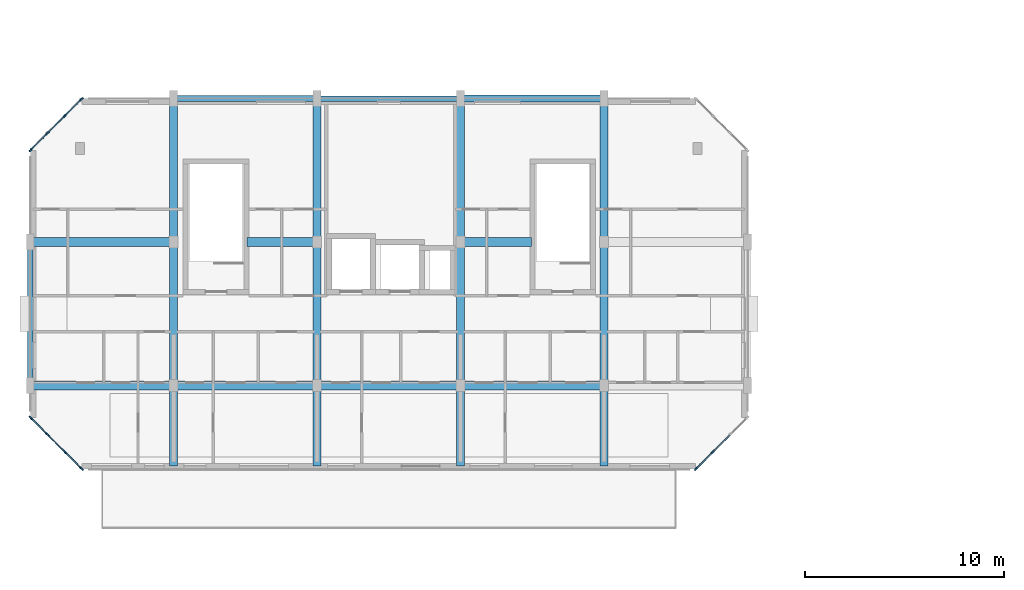
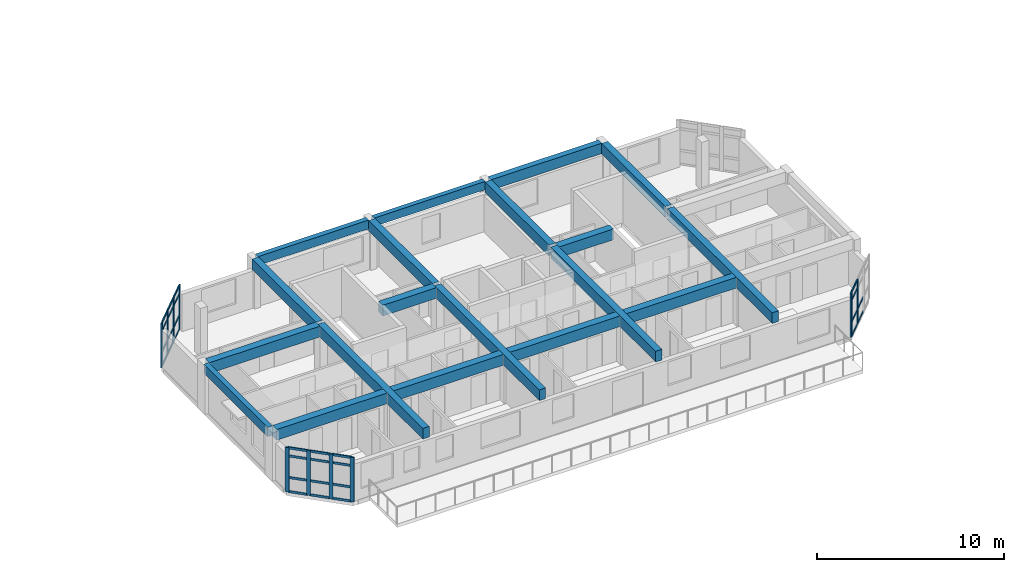
# One storey, part 3 of 40: 40 members, 19 beams, 3 elements without a shape of their own.
"""IFC4 building model written with IfcOpenShell, lengths in metres."""

from ifc_helpers import new_model, si_unit, direction, frame, origin, origin_2d, place, context, subcontext, project, spatial, rectangle, extrude, material, layer, layer_set, material_profile, profile_set, type_object, element, aggregate, save


model = new_model("IFC4")

# Units and contexts
model_context = context("Model", 3, precision=1e-05, world=origin(), true_north=direction((0.0, 1.0)))
body_context = subcontext(model_context, "Body", "Model", "MODEL_VIEW")
ifc_project = project(units=[si_unit("LENGTHUNIT", "METRE"), si_unit("AREAUNIT", "SQUARE_METRE"), si_unit("VOLUMEUNIT", "CUBIC_METRE"), si_unit("PLANEANGLEUNIT", "RADIAN"), si_unit("MASSUNIT", "GRAM", prefix="KILO")], contexts=[model_context])

# Site, building, storey
site_placement = place(None, origin())
site = spatial("IfcSite", under=ifc_project, at=site_placement, CompositionType="ELEMENT")
building_placement = place(site_placement, origin())
building = spatial("IfcBuilding", under=site, at=building_placement, Name="Ochrevale Crest", CompositionType="ELEMENT")
storey_placement = place(building_placement, frame((0.0, 0.0, 27.60009765625)))
storey = spatial("IfcBuildingStorey", under=building, at=storey_placement, Name="L08", CompositionType="ELEMENT", Elevation=27.60009765625)

# Beams
ifc_material_1 = material(Name="Precast concrete C50/60", Category="concrete")
ifc_material_profile_1 = material_profile(ifc_material_1, rectangle(XDim=0.39990234375, YDim=0.699951171875, at=origin_2d()), Name="PC 400x700")
ifc_profile_set_1 = profile_set([ifc_material_profile_1], Name="Precast concrete C50/60")
beam_type_1 = type_object("IfcBeamType", Name="BM-PC400x700", PredefinedType="BEAM", material=ifc_profile_set_1)
beam_1_placement = place(storey_placement, frame((7.199951171875, 17.550048828125, 2.7998046875), z_axis=(0.0, 1.0, 0.0), x_axis=(-1.0, 0.0, 0.0)))
element("IfcBeam", 1, at=beam_1_placement, inside=storey, type_object=beam_type_1, Name="Block A L08 N-S beam X=7.2", PredefinedType="BEAM", context=body_context, shape_type="SweptSolid", body=[
    extrude(rectangle(XDim=0.39990234375, YDim=0.699951171875, at=origin_2d()), origin(), (0.0, 0.0, 1.0), 11.22998046875),
])
beam_2_placement = place(storey_placement, frame((7.199951171875, 29.0048828125, 2.7998046875), z_axis=(0.0, 1.0, 0.0), x_axis=(-1.0, 0.0, 0.0)))
element("IfcBeam", 2, at=beam_2_placement, inside=storey, type_object=beam_type_1, Name="Block A L08 N-S beam X=7.2", PredefinedType="BEAM", context=body_context, shape_type="SweptSolid", body=[
    extrude(rectangle(XDim=0.39990234375, YDim=0.699951171875, at=origin_2d()), origin(), (0.0, 0.0, 1.0), 6.815185546875),
])
beam_3_placement = place(storey_placement, frame((14.39990234375, 17.550048828125, 2.7998046875), z_axis=(0.0, 1.0, 0.0), x_axis=(-1.0, 0.0, 0.0)))
element("IfcBeam", 3, at=beam_3_placement, inside=storey, type_object=beam_type_1, Name="Block A L08 N-S beam X=14.4", PredefinedType="BEAM", context=body_context, shape_type="SweptSolid", body=[
    extrude(rectangle(XDim=0.39990234375, YDim=0.699951171875, at=origin_2d()), origin(), (0.0, 0.0, 1.0), 11.22998046875),
])
beam_4_placement = place(storey_placement, frame((14.39990234375, 29.0048828125, 2.7998046875), z_axis=(0.0, 1.0, 0.0), x_axis=(-1.0, 0.0, 0.0)))
element("IfcBeam", 4, at=beam_4_placement, inside=storey, type_object=beam_type_1, Name="Block A L08 N-S beam X=14.4", PredefinedType="BEAM", context=body_context, shape_type="SweptSolid", body=[
    extrude(rectangle(XDim=0.39990234375, YDim=0.699951171875, at=origin_2d()), origin(), (0.0, 0.0, 1.0), 6.815185546875),
])
beam_5_placement = place(storey_placement, frame((21.60009765625, 17.550048828125, 2.7998046875), z_axis=(0.0, 1.0, 0.0), x_axis=(-1.0, 0.0, 0.0)))
element("IfcBeam", 5, at=beam_5_placement, inside=storey, type_object=beam_type_1, Name="Block A L08 N-S beam X=21.6", PredefinedType="BEAM", context=body_context, shape_type="SweptSolid", body=[
    extrude(rectangle(XDim=0.39990234375, YDim=0.699951171875, at=origin_2d()), origin(), (0.0, 0.0, 1.0), 11.22998046875),
])
beam_6_placement = place(storey_placement, frame((21.60009765625, 29.0048828125, 2.7998046875), z_axis=(0.0, 1.0, 0.0), x_axis=(-1.0, 0.0, 0.0)))
element("IfcBeam", 6, at=beam_6_placement, inside=storey, type_object=beam_type_1, Name="Block A L08 N-S beam X=21.6", PredefinedType="BEAM", context=body_context, shape_type="SweptSolid", body=[
    extrude(rectangle(XDim=0.39990234375, YDim=0.699951171875, at=origin_2d()), origin(), (0.0, 0.0, 1.0), 6.815185546875),
])
beam_7_placement = place(storey_placement, frame((28.800048828125, 17.550048828125, 2.7998046875), z_axis=(0.0, 1.0, 0.0), x_axis=(-1.0, 0.0, 0.0)))
element("IfcBeam", 7, at=beam_7_placement, inside=storey, type_object=beam_type_1, Name="Block A L08 N-S beam X=28.8", PredefinedType="BEAM", context=body_context, shape_type="SweptSolid", body=[
    extrude(rectangle(XDim=0.39990234375, YDim=0.699951171875, at=origin_2d()), origin(), (0.0, 0.0, 1.0), 11.22998046875),
])
beam_8_placement = place(storey_placement, frame((28.800048828125, 29.0048828125, 2.7998046875), z_axis=(0.0, 1.0, 0.0), x_axis=(-1.0, 0.0, 0.0)))
element("IfcBeam", 8, at=beam_8_placement, inside=storey, type_object=beam_type_1, Name="Block A L08 N-S beam X=28.8", PredefinedType="BEAM", context=body_context, shape_type="SweptSolid", body=[
    extrude(rectangle(XDim=0.39990234375, YDim=0.699951171875, at=origin_2d()), origin(), (0.0, 0.0, 1.0), 6.815185546875),
])
ifc_material_2 = material(Name="Concrete C50/60", Category="concrete")
ifc_material_profile_2 = material_profile(ifc_material_2, rectangle(XDim=0.449951171875, YDim=0.699951171875, at=origin_2d()), Name="RC 450x700")
ifc_profile_set_2 = profile_set([ifc_material_profile_2], Name="Concrete C50/60")
beam_type_2 = type_object("IfcBeamType", Name="BM-PG450x700", PredefinedType="USERDEFINED", material=ifc_profile_set_2)
beam_9_placement = place(storey_placement, frame((0.175048828125, 21.60009765625, 2.7998046875), z_axis=(1.0, 0.0, 0.0), x_axis=(0.0, 1.0, 0.0)))
element("IfcBeam", 9, at=beam_9_placement, inside=storey, type_object=beam_type_2, Name="Block A L08 E-W beam Y=21.6", ObjectType="GIRDER", PredefinedType="USERDEFINED", context=body_context, shape_type="SweptSolid", body=[
    extrude(rectangle(XDim=0.449951171875, YDim=0.699951171875, at=origin_2d()), origin(), (0.0, 0.0, 1.0), 6.824951171875),
])
beam_10_placement = place(storey_placement, frame((7.39990234375, 21.60009765625, 2.7998046875), z_axis=(1.0, 0.0, 0.0), x_axis=(0.0, 1.0, 0.0)))
element("IfcBeam", 10, at=beam_10_placement, inside=storey, type_object=beam_type_2, Name="Block A L08 E-W beam Y=21.6", ObjectType="GIRDER", PredefinedType="USERDEFINED", context=body_context, shape_type="SweptSolid", body=[
    extrude(rectangle(XDim=0.449951171875, YDim=0.699951171875, at=origin_2d()), origin(), (0.0, 0.0, 1.0), 6.800048828125),
])
beam_11_placement = place(storey_placement, frame((14.60009765625, 21.60009765625, 2.7998046875), z_axis=(1.0, 0.0, 0.0), x_axis=(0.0, 1.0, 0.0)))
element("IfcBeam", 11, at=beam_11_placement, inside=storey, type_object=beam_type_2, Name="Block A L08 E-W beam Y=21.6", ObjectType="GIRDER", PredefinedType="USERDEFINED", context=body_context, shape_type="SweptSolid", body=[
    extrude(rectangle(XDim=0.449951171875, YDim=0.699951171875, at=origin_2d()), origin(), (0.0, 0.0, 1.0), 6.7998046875),
])
beam_12_placement = place(storey_placement, frame((21.800048828125, 21.60009765625, 2.7998046875), z_axis=(1.0, 0.0, 0.0), x_axis=(0.0, 1.0, 0.0)))
element("IfcBeam", 12, at=beam_12_placement, inside=storey, type_object=beam_type_2, Name="Block A L08 E-W beam Y=21.6", ObjectType="GIRDER", PredefinedType="USERDEFINED", context=body_context, shape_type="SweptSolid", body=[
    extrude(rectangle(XDim=0.449951171875, YDim=0.699951171875, at=origin_2d()), origin(), (0.0, 0.0, 1.0), 6.800048828125),
])
beam_13_placement = place(storey_placement, frame((0.175048828125, 28.800048828125, 2.7998046875), z_axis=(1.0, 0.0, 0.0), x_axis=(0.0, 1.0, 0.0)))
element("IfcBeam", 13, at=beam_13_placement, inside=storey, type_object=beam_type_2, Name="Block A L08 E-W beam Y=28.8", ObjectType="GIRDER", PredefinedType="USERDEFINED", context=body_context, shape_type="SweptSolid", body=[
    extrude(rectangle(XDim=0.449951171875, YDim=0.699951171875, at=origin_2d()), origin(), (0.0, 0.0, 1.0), 6.824951171875),
])
beam_14_placement = place(storey_placement, frame((10.889892578125, 28.800048828125, 2.7998046875), z_axis=(1.0, 0.0, 0.0), x_axis=(0.0, 1.0, 0.0)))
element("IfcBeam", 14, at=beam_14_placement, inside=storey, type_object=beam_type_2, Name="Block A L08 E-W beam Y=28.8", ObjectType="GIRDER", PredefinedType="USERDEFINED", context=body_context, shape_type="SweptSolid", body=[
    extrude(rectangle(XDim=0.449951171875, YDim=0.699951171875, at=origin_2d()), origin(), (0.0, 0.0, 1.0), 3.31005859375),
])
beam_15_placement = place(storey_placement, frame((21.800048828125, 28.800048828125, 2.7998046875), z_axis=(1.0, 0.0, 0.0), x_axis=(0.0, 1.0, 0.0)))
element("IfcBeam", 15, at=beam_15_placement, inside=storey, type_object=beam_type_2, Name="Block A L08 E-W beam Y=28.8", ObjectType="GIRDER", PredefinedType="USERDEFINED", context=body_context, shape_type="SweptSolid", body=[
    extrude(rectangle(XDim=0.449951171875, YDim=0.699951171875, at=origin_2d()), origin(), (0.0, 0.0, 1.0), 3.35986328125),
])
ifc_material_3 = material(Name="Precast concrete C40/50", Category="concrete")
ifc_material_profile_3 = material_profile(ifc_material_3, rectangle(XDim=0.280029296875, YDim=0.550048828125, at=origin_2d()), Name="PC 280x550")
ifc_profile_set_3 = profile_set([ifc_material_profile_3], Name="Precast concrete C40/50")
beam_type_3 = type_object("IfcBeamType", Name="BM-SP280x550", PredefinedType="SPANDREL", material=ifc_profile_set_3)
beam_16_placement = place(storey_placement, frame((14.574951171875, 36.0, 2.875), z_axis=(1.0, 0.0, 0.0), x_axis=(0.0, 1.0, 0.0)))
element("IfcBeam", 16, at=beam_16_placement, inside=storey, type_object=beam_type_3, Name="Block A L08 E-W beam Y=36.0", PredefinedType="SPANDREL", context=body_context, shape_type="SweptSolid", body=[
    extrude(rectangle(XDim=0.280029296875, YDim=0.550048828125, at=origin_2d()), origin(), (0.0, 0.0, 1.0), 6.85009765625),
])
ifc_material_profile_4 = material_profile(ifc_material_3, rectangle(XDim=0.300048828125, YDim=0.580078125, at=origin_2d()), Name="PC 300x580")
ifc_profile_set_4 = profile_set([ifc_material_profile_4], Name="Precast concrete C40/50")
beam_type_4 = type_object("IfcBeamType", Name="BM-SP300x580", PredefinedType="SPANDREL", material=ifc_profile_set_4)
beam_17_placement = place(storey_placement, frame((7.375, 36.0, 2.85986328125), z_axis=(1.0, 0.0, 0.0), x_axis=(0.0, 1.0, 0.0)))
element("IfcBeam", 17, at=beam_17_placement, inside=storey, type_object=beam_type_4, Name="Block A L08 E-W beam Y=36.0", PredefinedType="SPANDREL", context=body_context, shape_type="SweptSolid", body=[
    extrude(rectangle(XDim=0.300048828125, YDim=0.580078125, at=origin_2d()), origin(), (0.0, 0.0, 1.0), 6.85009765625),
])
ifc_material_profile_5 = material_profile(ifc_material_3, rectangle(XDim=0.300048828125, YDim=0.60009765625, at=origin_2d()), Name="PC 300x600")
ifc_profile_set_5 = profile_set([ifc_material_profile_5], Name="Precast concrete C40/50")
beam_type_5 = type_object("IfcBeamType", Name="BM-SP300x600", PredefinedType="SPANDREL", material=ifc_profile_set_5)
beam_18_placement = place(storey_placement, frame((0.0, 21.780029296875, 2.849853515625), z_axis=(0.0, 1.0, 0.0), x_axis=(-1.0, 0.0, 0.0)))
element("IfcBeam", 18, at=beam_18_placement, inside=storey, type_object=beam_type_5, Name="Block A L08 N-S beam X=0.0", PredefinedType="SPANDREL", context=body_context, shape_type="SweptSolid", body=[
    extrude(rectangle(XDim=0.300048828125, YDim=0.60009765625, at=origin_2d()), origin(), (0.0, 0.0, 1.0), 6.840087890625),
])
ifc_material_profile_6 = material_profile(ifc_material_3, rectangle(XDim=0.35009765625, YDim=0.679931640625, at=origin_2d()), Name="PC 350x680")
ifc_profile_set_6 = profile_set([ifc_material_profile_6], Name="Precast concrete C40/50")
beam_type_6 = type_object("IfcBeamType", Name="BM-SP350x680", PredefinedType="SPANDREL", material=ifc_profile_set_6)
beam_19_placement = place(storey_placement, frame((21.77490234375, 36.0, 2.809814453125), z_axis=(1.0, 0.0, 0.0), x_axis=(0.0, 1.0, 0.0)))
element("IfcBeam", 19, at=beam_19_placement, inside=storey, type_object=beam_type_6, Name="Block A L08 E-W beam Y=36.0", PredefinedType="SPANDREL", context=body_context, shape_type="SweptSolid", body=[
    extrude(rectangle(XDim=0.35009765625, YDim=0.679931640625, at=origin_2d()), origin(), (0.0, 0.0, 1.0), 6.85009765625),
])

# Curtain wall, members
ifc_material_4 = material(Name="Anodised aluminium 6063-T5", Category="aluminium")
ifc_layer_1 = layer(ifc_material_4, 0.14990234375)
ifc_layer_set_1 = layer_set([ifc_layer_1], Name="Anodised aluminium 6063-T5")
curtain_wall_type_1 = type_object("IfcCurtainWallType", Name="CW-WG-240x285", PredefinedType="NOTDEFINED", material=ifc_layer_set_1)
curtain_wall_1_placement = place(storey_placement, origin())
curtain_wall_1 = element("IfcCurtainWall", 20, at=curtain_wall_1_placement, inside=storey, type_object=curtain_wall_type_1, Name="Block A L08 chamfered corner wintergarden curtain wall 2", PredefinedType="NOTDEFINED")
ifc_material_profile_7 = material_profile(ifc_material_4, rectangle(XDim=0.074951171875, YDim=0.219970703125, at=origin_2d()), Name="ALU 75x220")
ifc_profile_set_7 = profile_set([ifc_material_profile_7], Name="Anodised aluminium 6063-T5")
member_type_1 = type_object("IfcMemberType", Name="CW-MUL-75x220", PredefinedType="MULLION", material=ifc_profile_set_7)
member_1_placement = place(storey_placement, frame((33.426513671875, 17.426513671875, 0.0), z_axis=(0.0, 0.0, 1.0), x_axis=(-0.707106781187, 0.707106781187, 0.0)))
member_1 = element("IfcMember", 21, at=member_1_placement, type_object=member_type_1, Name="CW15 mullion 1", PredefinedType="MULLION", context=body_context, shape_type="SweptSolid", body=[
    extrude(rectangle(XDim=0.074951171875, YDim=0.219970703125, at=origin_2d()), origin(), (0.0, 0.0, 1.0), 2.909912109375),
])
member_2_placement = place(storey_placement, frame((34.2666015625, 18.2666015625, 0.0), z_axis=(0.0, 0.0, 1.0), x_axis=(-0.707106781187, 0.707106781187, 0.0)))
member_2 = element("IfcMember", 22, at=member_2_placement, type_object=member_type_1, Name="CW15 mullion 2", PredefinedType="MULLION", context=body_context, shape_type="SweptSolid", body=[
    extrude(rectangle(XDim=0.074951171875, YDim=0.219970703125, at=origin_2d()), origin(), (0.0, 0.0, 1.0), 2.909912109375),
])

ifc_layer_2 = layer(ifc_material_4, 0.14990234375)
ifc_layer_set_2 = layer_set([ifc_layer_2], Name="Anodised aluminium 6063-T5")
curtain_wall_type_2 = type_object("IfcCurtainWallType", Name="CW-WG-420x285", PredefinedType="NOTDEFINED", material=ifc_layer_set_2)
curtain_wall_2_placement = place(storey_placement, origin())
curtain_wall_2 = element("IfcCurtainWall", 23, at=curtain_wall_2_placement, inside=storey, type_object=curtain_wall_type_2, Name="Block A L08 chamfered corner wintergarden curtain wall 6", PredefinedType="NOTDEFINED")
member_3_placement = place(storey_placement, frame((2.573486328125, 35.973388671875, 0.0), z_axis=(0.0, 0.0, 1.0), x_axis=(0.707106781187, -0.707106781187, 0.0)))
member_3 = element("IfcMember", 24, at=member_3_placement, type_object=member_type_1, Name="CW22 mullion 1", PredefinedType="MULLION", context=body_context, shape_type="SweptSolid", body=[
    extrude(rectangle(XDim=0.074951171875, YDim=0.219970703125, at=origin_2d()), origin(), (0.0, 0.0, 1.0), 2.909912109375),
])
member_4_placement = place(storey_placement, frame((1.7333984375, 35.13330078125, 0.0), z_axis=(0.0, 0.0, 1.0), x_axis=(0.707106781187, -0.707106781187, 0.0)))
member_4 = element("IfcMember", 25, at=member_4_placement, type_object=member_type_1, Name="CW22 mullion 2", PredefinedType="MULLION", context=body_context, shape_type="SweptSolid", body=[
    extrude(rectangle(XDim=0.074951171875, YDim=0.219970703125, at=origin_2d()), origin(), (0.0, 0.0, 1.0), 2.909912109375),
])
member_5_placement = place(storey_placement, frame((0.86669921875, 34.2666015625, 0.0), z_axis=(0.0, 0.0, 1.0), x_axis=(0.707106781187, -0.707106781187, 0.0)))
member_5 = element("IfcMember", 26, at=member_5_placement, type_object=member_type_1, Name="CW22 mullion 3", PredefinedType="MULLION", context=body_context, shape_type="SweptSolid", body=[
    extrude(rectangle(XDim=0.074951171875, YDim=0.219970703125, at=origin_2d()), origin(), (0.0, 0.0, 1.0), 2.909912109375),
])
member_6_placement = place(storey_placement, frame((0.026611328125, 33.426513671875, 0.0), z_axis=(0.0, 0.0, 1.0), x_axis=(0.707106781187, -0.707106781187, 0.0)))
member_6 = element("IfcMember", 27, at=member_6_placement, type_object=member_type_1, Name="CW22 mullion 4", PredefinedType="MULLION", context=body_context, shape_type="SweptSolid", body=[
    extrude(rectangle(XDim=0.074951171875, YDim=0.219970703125, at=origin_2d()), origin(), (0.0, 0.0, 1.0), 2.909912109375),
])

ifc_layer_3 = layer(ifc_material_4, 0.14990234375)
ifc_layer_set_3 = layer_set([ifc_layer_3], Name="Anodised aluminium 6063-T5")
curtain_wall_type_3 = type_object("IfcCurtainWallType", Name="CW-WG-280x285", PredefinedType="NOTDEFINED", material=ifc_layer_set_3)
curtain_wall_3_placement = place(storey_placement, origin())
curtain_wall_3 = element("IfcCurtainWall", 28, at=curtain_wall_3_placement, inside=storey, type_object=curtain_wall_type_3, Name="Block A L08 chamfered corner wintergarden curtain wall 8", PredefinedType="NOTDEFINED")
member_7_placement = place(storey_placement, frame((0.026611328125, 19.973388671875, 0.0), z_axis=(0.0, 0.0, 1.0), x_axis=(0.707106781187, 0.707106781187, 0.0)))
member_7 = element("IfcMember", 29, at=member_7_placement, type_object=member_type_1, Name="CW16 mullion 1", PredefinedType="MULLION", context=body_context, shape_type="SweptSolid", body=[
    extrude(rectangle(XDim=0.074951171875, YDim=0.219970703125, at=origin_2d()), origin(), (0.0, 0.0, 1.0), 2.909912109375),
])
member_8_placement = place(storey_placement, frame((0.86669921875, 19.13330078125, 0.0), z_axis=(0.0, 0.0, 1.0), x_axis=(0.707106781187, 0.707106781187, 0.0)))
member_8 = element("IfcMember", 30, at=member_8_placement, type_object=member_type_1, Name="CW16 mullion 2", PredefinedType="MULLION", context=body_context, shape_type="SweptSolid", body=[
    extrude(rectangle(XDim=0.074951171875, YDim=0.219970703125, at=origin_2d()), origin(), (0.0, 0.0, 1.0), 2.909912109375),
])
member_9_placement = place(storey_placement, frame((1.7333984375, 18.2666015625, 0.0), z_axis=(0.0, 0.0, 1.0), x_axis=(0.707106781187, 0.707106781187, 0.0)))
member_9 = element("IfcMember", 31, at=member_9_placement, type_object=member_type_1, Name="CW16 mullion 3", PredefinedType="MULLION", context=body_context, shape_type="SweptSolid", body=[
    extrude(rectangle(XDim=0.074951171875, YDim=0.219970703125, at=origin_2d()), origin(), (0.0, 0.0, 1.0), 2.909912109375),
])
member_10_placement = place(storey_placement, frame((2.573486328125, 17.426513671875, 0.0), z_axis=(0.0, 0.0, 1.0), x_axis=(0.707106781187, 0.707106781187, 0.0)))
member_10 = element("IfcMember", 32, at=member_10_placement, type_object=member_type_1, Name="CW16 mullion 4", PredefinedType="MULLION", context=body_context, shape_type="SweptSolid", body=[
    extrude(rectangle(XDim=0.074951171875, YDim=0.219970703125, at=origin_2d()), origin(), (0.0, 0.0, 1.0), 2.909912109375),
])

# Member
ifc_material_profile_8 = material_profile(ifc_material_4, rectangle(XDim=0.06005859375, YDim=0.14990234375, at=origin_2d()), Name="ALU 60x150")
ifc_profile_set_8 = profile_set([ifc_material_profile_8], Name="Anodised aluminium 6063-T5")
member_type_2 = type_object("IfcMemberType", Name="CW-TRN-60x150", PredefinedType="USERDEFINED", material=ifc_profile_set_8)
member_11_placement = place(storey_placement, frame((33.453125, 17.453125, 0.02978515625), z_axis=(0.707106781187, 0.707106781187, 0.0), x_axis=(-0.707106781187, 0.707106781187, 0.0)))
member_11 = element("IfcMember", 33, at=member_11_placement, type_object=member_type_2, Name="CW15 transom 1.1", ObjectType="TRANSOM", PredefinedType="USERDEFINED", context=body_context, shape_type="SweptSolid", body=[
    extrude(rectangle(XDim=0.06005859375, YDim=0.14990234375, at=origin_2d()), origin(), (0.0, 0.0, 1.0), 1.113037109375),
])

member_12_placement = place(storey_placement, frame((33.453125, 17.453125, 0.949951171875), z_axis=(0.707106781187, 0.707106781187, 0.0), x_axis=(-0.707106781187, 0.707106781187, 0.0)))
member_12 = element("IfcMember", 34, at=member_12_placement, type_object=member_type_2, Name="CW15 transom 1.2", ObjectType="TRANSOM", PredefinedType="USERDEFINED", context=body_context, shape_type="SweptSolid", body=[
    extrude(rectangle(XDim=0.06005859375, YDim=0.14990234375, at=origin_2d()), origin(), (0.0, 0.0, 1.0), 1.113037109375),
])

member_13_placement = place(storey_placement, frame((33.453125, 17.453125, 2.35986328125), z_axis=(0.707106781187, 0.707106781187, 0.0), x_axis=(-0.707106781187, 0.707106781187, 0.0)))
member_13 = element("IfcMember", 35, at=member_13_placement, type_object=member_type_2, Name="CW15 transom 1.3", ObjectType="TRANSOM", PredefinedType="USERDEFINED", context=body_context, shape_type="SweptSolid", body=[
    extrude(rectangle(XDim=0.06005859375, YDim=0.14990234375, at=origin_2d()), origin(), (0.0, 0.0, 1.0), 1.113037109375),
])

member_14_placement = place(storey_placement, frame((33.453125, 17.453125, 2.8798828125), z_axis=(0.707106781187, 0.707106781187, 0.0), x_axis=(-0.707106781187, 0.707106781187, 0.0)))
member_14 = element("IfcMember", 36, at=member_14_placement, type_object=member_type_2, Name="CW15 transom 1.4", ObjectType="TRANSOM", PredefinedType="USERDEFINED", context=body_context, shape_type="SweptSolid", body=[
    extrude(rectangle(XDim=0.06005859375, YDim=0.14990234375, at=origin_2d()), origin(), (0.0, 0.0, 1.0), 1.113037109375),
])

member_15_placement = place(storey_placement, frame((34.293212890625, 18.293212890625, 0.02978515625), z_axis=(0.707106781187, 0.707106781187, 0.0), x_axis=(-0.707106781187, 0.707106781187, 0.0)))
member_15 = element("IfcMember", 37, at=member_15_placement, type_object=member_type_2, Name="CW15 transom 2.1", ObjectType="TRANSOM", PredefinedType="USERDEFINED", context=body_context, shape_type="SweptSolid", body=[
    extrude(rectangle(XDim=0.06005859375, YDim=0.14990234375, at=origin_2d()), origin(), (0.0, 0.0, 1.0), 1.15087890625),
])

member_16_placement = place(storey_placement, frame((34.293212890625, 18.293212890625, 0.949951171875), z_axis=(0.707106781187, 0.707106781187, 0.0), x_axis=(-0.707106781187, 0.707106781187, 0.0)))
member_16 = element("IfcMember", 38, at=member_16_placement, type_object=member_type_2, Name="CW15 transom 2.2", ObjectType="TRANSOM", PredefinedType="USERDEFINED", context=body_context, shape_type="SweptSolid", body=[
    extrude(rectangle(XDim=0.06005859375, YDim=0.14990234375, at=origin_2d()), origin(), (0.0, 0.0, 1.0), 1.15087890625),
])

aggregate(curtain_wall_1, [member_1, member_2, member_11, member_12, member_13, member_14, member_15, member_16])

member_17_placement = place(storey_placement, frame((2.546875, 35.947021484375, 0.02978515625), z_axis=(-0.707106781187, -0.707106781187, 0.0), x_axis=(0.707106781187, -0.707106781187, 0.0)))
member_17 = element("IfcMember", 39, at=member_17_placement, type_object=member_type_2, Name="CW22 transom 1.1", ObjectType="TRANSOM", PredefinedType="USERDEFINED", context=body_context, shape_type="SweptSolid", body=[
    extrude(rectangle(XDim=0.06005859375, YDim=0.14990234375, at=origin_2d()), origin(), (0.0, 0.0, 1.0), 1.113037109375),
])

member_18_placement = place(storey_placement, frame((2.546875, 35.947021484375, 0.949951171875), z_axis=(-0.707106781187, -0.707106781187, 0.0), x_axis=(0.707106781187, -0.707106781187, 0.0)))
member_18 = element("IfcMember", 40, at=member_18_placement, type_object=member_type_2, Name="CW22 transom 1.2", ObjectType="TRANSOM", PredefinedType="USERDEFINED", context=body_context, shape_type="SweptSolid", body=[
    extrude(rectangle(XDim=0.06005859375, YDim=0.14990234375, at=origin_2d()), origin(), (0.0, 0.0, 1.0), 1.113037109375),
])

member_19_placement = place(storey_placement, frame((2.546875, 35.947021484375, 2.35986328125), z_axis=(-0.707106781187, -0.707106781187, 0.0), x_axis=(0.707106781187, -0.707106781187, 0.0)))
member_19 = element("IfcMember", 41, at=member_19_placement, type_object=member_type_2, Name="CW22 transom 1.3", ObjectType="TRANSOM", PredefinedType="USERDEFINED", context=body_context, shape_type="SweptSolid", body=[
    extrude(rectangle(XDim=0.06005859375, YDim=0.14990234375, at=origin_2d()), origin(), (0.0, 0.0, 1.0), 1.113037109375),
])

member_20_placement = place(storey_placement, frame((2.546875, 35.947021484375, 2.8798828125), z_axis=(-0.707106781187, -0.707106781187, 0.0), x_axis=(0.707106781187, -0.707106781187, 0.0)))
member_20 = element("IfcMember", 42, at=member_20_placement, type_object=member_type_2, Name="CW22 transom 1.4", ObjectType="TRANSOM", PredefinedType="USERDEFINED", context=body_context, shape_type="SweptSolid", body=[
    extrude(rectangle(XDim=0.06005859375, YDim=0.14990234375, at=origin_2d()), origin(), (0.0, 0.0, 1.0), 1.113037109375),
])

member_21_placement = place(storey_placement, frame((1.706787109375, 35.10693359375, 0.02978515625), z_axis=(-0.707106781187, -0.707106781187, 0.0), x_axis=(0.707106781187, -0.707106781187, 0.0)))
member_21 = element("IfcMember", 43, at=member_21_placement, type_object=member_type_2, Name="CW22 transom 2.1", ObjectType="TRANSOM", PredefinedType="USERDEFINED", context=body_context, shape_type="SweptSolid", body=[
    extrude(rectangle(XDim=0.06005859375, YDim=0.14990234375, at=origin_2d()), origin(), (0.0, 0.0, 1.0), 1.15087890625),
])

member_22_placement = place(storey_placement, frame((1.706787109375, 35.10693359375, 0.949951171875), z_axis=(-0.707106781187, -0.707106781187, 0.0), x_axis=(0.707106781187, -0.707106781187, 0.0)))
member_22 = element("IfcMember", 44, at=member_22_placement, type_object=member_type_2, Name="CW22 transom 2.2", ObjectType="TRANSOM", PredefinedType="USERDEFINED", context=body_context, shape_type="SweptSolid", body=[
    extrude(rectangle(XDim=0.06005859375, YDim=0.14990234375, at=origin_2d()), origin(), (0.0, 0.0, 1.0), 1.15087890625),
])

member_23_placement = place(storey_placement, frame((1.706787109375, 35.10693359375, 2.35986328125), z_axis=(-0.707106781187, -0.707106781187, 0.0), x_axis=(0.707106781187, -0.707106781187, 0.0)))
member_23 = element("IfcMember", 45, at=member_23_placement, type_object=member_type_2, Name="CW22 transom 2.3", ObjectType="TRANSOM", PredefinedType="USERDEFINED", context=body_context, shape_type="SweptSolid", body=[
    extrude(rectangle(XDim=0.06005859375, YDim=0.14990234375, at=origin_2d()), origin(), (0.0, 0.0, 1.0), 1.15087890625),
])

member_24_placement = place(storey_placement, frame((1.706787109375, 35.10693359375, 2.8798828125), z_axis=(-0.707106781187, -0.707106781187, 0.0), x_axis=(0.707106781187, -0.707106781187, 0.0)))
member_24 = element("IfcMember", 46, at=member_24_placement, type_object=member_type_2, Name="CW22 transom 2.4", ObjectType="TRANSOM", PredefinedType="USERDEFINED", context=body_context, shape_type="SweptSolid", body=[
    extrude(rectangle(XDim=0.06005859375, YDim=0.14990234375, at=origin_2d()), origin(), (0.0, 0.0, 1.0), 1.15087890625),
])

member_25_placement = place(storey_placement, frame((0.840087890625, 34.240234375, 0.02978515625), z_axis=(-0.707106781187, -0.707106781187, 0.0), x_axis=(0.707106781187, -0.707106781187, 0.0)))
member_25 = element("IfcMember", 47, at=member_25_placement, type_object=member_type_2, Name="CW22 transom 3.1", ObjectType="TRANSOM", PredefinedType="USERDEFINED", context=body_context, shape_type="SweptSolid", body=[
    extrude(rectangle(XDim=0.06005859375, YDim=0.14990234375, at=origin_2d()), origin(), (0.0, 0.0, 1.0), 1.113037109375),
])

member_26_placement = place(storey_placement, frame((0.840087890625, 34.240234375, 0.949951171875), z_axis=(-0.707106781187, -0.707106781187, 0.0), x_axis=(0.707106781187, -0.707106781187, 0.0)))
member_26 = element("IfcMember", 48, at=member_26_placement, type_object=member_type_2, Name="CW22 transom 3.2", ObjectType="TRANSOM", PredefinedType="USERDEFINED", context=body_context, shape_type="SweptSolid", body=[
    extrude(rectangle(XDim=0.06005859375, YDim=0.14990234375, at=origin_2d()), origin(), (0.0, 0.0, 1.0), 1.113037109375),
])

member_27_placement = place(storey_placement, frame((0.840087890625, 34.240234375, 2.35986328125), z_axis=(-0.707106781187, -0.707106781187, 0.0), x_axis=(0.707106781187, -0.707106781187, 0.0)))
member_27 = element("IfcMember", 49, at=member_27_placement, type_object=member_type_2, Name="CW22 transom 3.3", ObjectType="TRANSOM", PredefinedType="USERDEFINED", context=body_context, shape_type="SweptSolid", body=[
    extrude(rectangle(XDim=0.06005859375, YDim=0.14990234375, at=origin_2d()), origin(), (0.0, 0.0, 1.0), 1.113037109375),
])

member_28_placement = place(storey_placement, frame((0.840087890625, 34.240234375, 2.8798828125), z_axis=(-0.707106781187, -0.707106781187, 0.0), x_axis=(0.707106781187, -0.707106781187, 0.0)))
member_28 = element("IfcMember", 50, at=member_28_placement, type_object=member_type_2, Name="CW22 transom 3.4", ObjectType="TRANSOM", PredefinedType="USERDEFINED", context=body_context, shape_type="SweptSolid", body=[
    extrude(rectangle(XDim=0.06005859375, YDim=0.14990234375, at=origin_2d()), origin(), (0.0, 0.0, 1.0), 1.113037109375),
])

aggregate(curtain_wall_2, [member_3, member_4, member_5, member_6, member_17, member_18, member_19, member_20, member_21, member_22, member_23, member_24, member_25, member_26, member_27, member_28])

member_29_placement = place(storey_placement, frame((0.052978515625, 19.947021484375, 0.02978515625), z_axis=(0.707106781187, -0.707106781187, 0.0), x_axis=(0.707106781187, 0.707106781187, 0.0)))
member_29 = element("IfcMember", 51, at=member_29_placement, type_object=member_type_2, Name="CW16 transom 1.1", ObjectType="TRANSOM", PredefinedType="USERDEFINED", context=body_context, shape_type="SweptSolid", body=[
    extrude(rectangle(XDim=0.06005859375, YDim=0.14990234375, at=origin_2d()), origin(), (0.0, 0.0, 1.0), 1.113037109375),
])

member_30_placement = place(storey_placement, frame((0.052978515625, 19.947021484375, 0.949951171875), z_axis=(0.707106781187, -0.707106781187, 0.0), x_axis=(0.707106781187, 0.707106781187, 0.0)))
member_30 = element("IfcMember", 52, at=member_30_placement, type_object=member_type_2, Name="CW16 transom 1.2", ObjectType="TRANSOM", PredefinedType="USERDEFINED", context=body_context, shape_type="SweptSolid", body=[
    extrude(rectangle(XDim=0.06005859375, YDim=0.14990234375, at=origin_2d()), origin(), (0.0, 0.0, 1.0), 1.113037109375),
])

member_31_placement = place(storey_placement, frame((0.052978515625, 19.947021484375, 2.35986328125), z_axis=(0.707106781187, -0.707106781187, 0.0), x_axis=(0.707106781187, 0.707106781187, 0.0)))
member_31 = element("IfcMember", 53, at=member_31_placement, type_object=member_type_2, Name="CW16 transom 1.3", ObjectType="TRANSOM", PredefinedType="USERDEFINED", context=body_context, shape_type="SweptSolid", body=[
    extrude(rectangle(XDim=0.06005859375, YDim=0.14990234375, at=origin_2d()), origin(), (0.0, 0.0, 1.0), 1.113037109375),
])

member_32_placement = place(storey_placement, frame((0.052978515625, 19.947021484375, 2.8798828125), z_axis=(0.707106781187, -0.707106781187, 0.0), x_axis=(0.707106781187, 0.707106781187, 0.0)))
member_32 = element("IfcMember", 54, at=member_32_placement, type_object=member_type_2, Name="CW16 transom 1.4", ObjectType="TRANSOM", PredefinedType="USERDEFINED", context=body_context, shape_type="SweptSolid", body=[
    extrude(rectangle(XDim=0.06005859375, YDim=0.14990234375, at=origin_2d()), origin(), (0.0, 0.0, 1.0), 1.113037109375),
])

member_33_placement = place(storey_placement, frame((0.89306640625, 19.10693359375, 0.02978515625), z_axis=(0.707106781187, -0.707106781187, 0.0), x_axis=(0.707106781187, 0.707106781187, 0.0)))
member_33 = element("IfcMember", 55, at=member_33_placement, type_object=member_type_2, Name="CW16 transom 2.1", ObjectType="TRANSOM", PredefinedType="USERDEFINED", context=body_context, shape_type="SweptSolid", body=[
    extrude(rectangle(XDim=0.06005859375, YDim=0.14990234375, at=origin_2d()), origin(), (0.0, 0.0, 1.0), 1.15087890625),
])

member_34_placement = place(storey_placement, frame((0.89306640625, 19.10693359375, 0.949951171875), z_axis=(0.707106781187, -0.707106781187, 0.0), x_axis=(0.707106781187, 0.707106781187, 0.0)))
member_34 = element("IfcMember", 56, at=member_34_placement, type_object=member_type_2, Name="CW16 transom 2.2", ObjectType="TRANSOM", PredefinedType="USERDEFINED", context=body_context, shape_type="SweptSolid", body=[
    extrude(rectangle(XDim=0.06005859375, YDim=0.14990234375, at=origin_2d()), origin(), (0.0, 0.0, 1.0), 1.15087890625),
])

member_35_placement = place(storey_placement, frame((0.89306640625, 19.10693359375, 2.35986328125), z_axis=(0.707106781187, -0.707106781187, 0.0), x_axis=(0.707106781187, 0.707106781187, 0.0)))
member_35 = element("IfcMember", 57, at=member_35_placement, type_object=member_type_2, Name="CW16 transom 2.3", ObjectType="TRANSOM", PredefinedType="USERDEFINED", context=body_context, shape_type="SweptSolid", body=[
    extrude(rectangle(XDim=0.06005859375, YDim=0.14990234375, at=origin_2d()), origin(), (0.0, 0.0, 1.0), 1.15087890625),
])

member_36_placement = place(storey_placement, frame((0.89306640625, 19.10693359375, 2.8798828125), z_axis=(0.707106781187, -0.707106781187, 0.0), x_axis=(0.707106781187, 0.707106781187, 0.0)))
member_36 = element("IfcMember", 58, at=member_36_placement, type_object=member_type_2, Name="CW16 transom 2.4", ObjectType="TRANSOM", PredefinedType="USERDEFINED", context=body_context, shape_type="SweptSolid", body=[
    extrude(rectangle(XDim=0.06005859375, YDim=0.14990234375, at=origin_2d()), origin(), (0.0, 0.0, 1.0), 1.15087890625),
])

member_37_placement = place(storey_placement, frame((1.759765625, 18.240234375, 0.02978515625), z_axis=(0.707106781187, -0.707106781187, 0.0), x_axis=(0.707106781187, 0.707106781187, 0.0)))
member_37 = element("IfcMember", 59, at=member_37_placement, type_object=member_type_2, Name="CW16 transom 3.1", ObjectType="TRANSOM", PredefinedType="USERDEFINED", context=body_context, shape_type="SweptSolid", body=[
    extrude(rectangle(XDim=0.06005859375, YDim=0.14990234375, at=origin_2d()), origin(), (0.0, 0.0, 1.0), 1.113037109375),
])

member_38_placement = place(storey_placement, frame((1.759765625, 18.240234375, 0.949951171875), z_axis=(0.707106781187, -0.707106781187, 0.0), x_axis=(0.707106781187, 0.707106781187, 0.0)))
member_38 = element("IfcMember", 60, at=member_38_placement, type_object=member_type_2, Name="CW16 transom 3.2", ObjectType="TRANSOM", PredefinedType="USERDEFINED", context=body_context, shape_type="SweptSolid", body=[
    extrude(rectangle(XDim=0.06005859375, YDim=0.14990234375, at=origin_2d()), origin(), (0.0, 0.0, 1.0), 1.113037109375),
])

member_39_placement = place(storey_placement, frame((1.759765625, 18.240234375, 2.35986328125), z_axis=(0.707106781187, -0.707106781187, 0.0), x_axis=(0.707106781187, 0.707106781187, 0.0)))
member_39 = element("IfcMember", 61, at=member_39_placement, type_object=member_type_2, Name="CW16 transom 3.3", ObjectType="TRANSOM", PredefinedType="USERDEFINED", context=body_context, shape_type="SweptSolid", body=[
    extrude(rectangle(XDim=0.06005859375, YDim=0.14990234375, at=origin_2d()), origin(), (0.0, 0.0, 1.0), 1.113037109375),
])

member_40_placement = place(storey_placement, frame((1.759765625, 18.240234375, 2.8798828125), z_axis=(0.707106781187, -0.707106781187, 0.0), x_axis=(0.707106781187, 0.707106781187, 0.0)))
member_40 = element("IfcMember", 62, at=member_40_placement, type_object=member_type_2, Name="CW16 transom 3.4", ObjectType="TRANSOM", PredefinedType="USERDEFINED", context=body_context, shape_type="SweptSolid", body=[
    extrude(rectangle(XDim=0.06005859375, YDim=0.14990234375, at=origin_2d()), origin(), (0.0, 0.0, 1.0), 1.113037109375),
])

aggregate(curtain_wall_3, [member_7, member_8, member_9, member_10, member_29, member_30, member_31, member_32, member_33, member_34, member_35, member_36, member_37, member_38, member_39, member_40])

save(model, "model.ifc")
